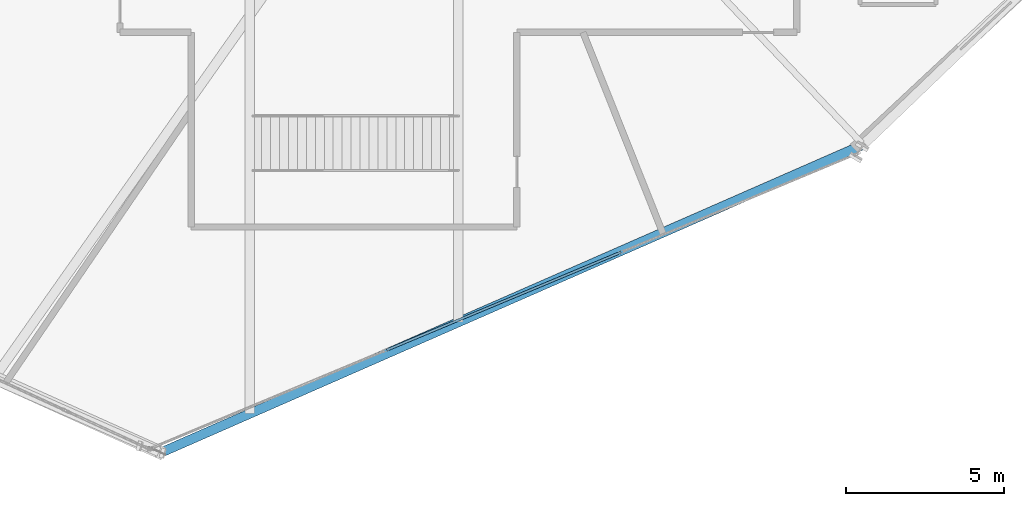
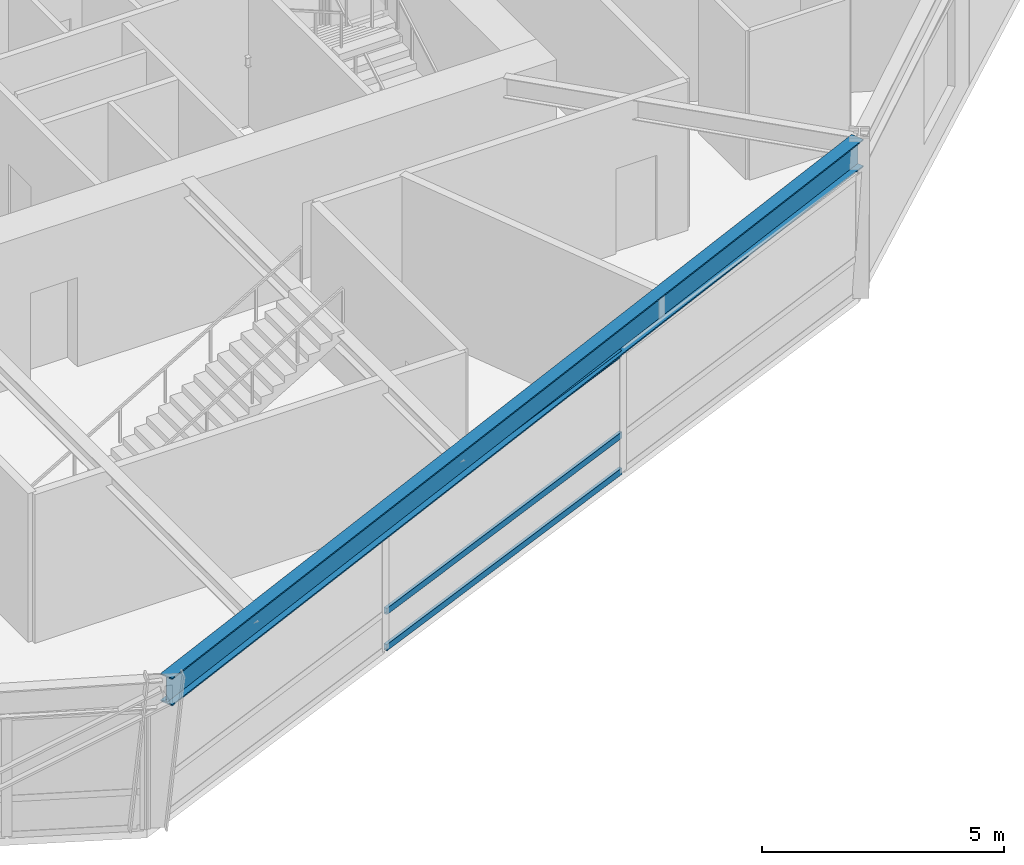
# One storey, part 5 of 19: 3 members, 1 beam, 1 element without a shape of its own.
"""IFC4 building model written with IfcOpenShell, lengths in metres."""

from ifc_helpers import new_model, si_unit, direction, frame, origin, origin_2d, place, context, subcontext, project, spatial, hollow_rectangle, i_section, extrude, source, transform, mapped, material, material_profile, profile_set, type_object, element, aggregate, save


model = new_model("IFC4")

# Units and contexts
model_context = context("Model", 3, precision=1e-05, world=origin(), true_north=direction((0.0, 1.0)))
body_context = subcontext(model_context, "Body", "Model", "MODEL_VIEW")
ifc_project = project(units=[si_unit("LENGTHUNIT", "METRE"), si_unit("AREAUNIT", "SQUARE_METRE"), si_unit("VOLUMEUNIT", "CUBIC_METRE"), si_unit("PLANEANGLEUNIT", "RADIAN"), si_unit("MASSUNIT", "GRAM", prefix="KILO")], contexts=[model_context])

# Site, building, storey
site_placement = place(None, origin())
site = spatial("IfcSite", under=ifc_project, at=site_placement, CompositionType="ELEMENT")
building_placement = place(site_placement, origin())
building = spatial("IfcBuilding", under=site, at=building_placement, Name="Olszyna Solenne Hotel", CompositionType="ELEMENT")
storey_placement = place(building_placement, frame((0.0, 0.0, 71.89990234375)))
storey = spatial("IfcBuildingStorey", under=building, at=storey_placement, Name="L18", CompositionType="ELEMENT", Elevation=71.89990234375)

# Beam
ifc_material_1 = material(Name="Steel S355J2", Category="steel")
ifc_material_profile_1 = material_profile(ifc_material_1, i_section(OverallWidth=0.300048828125, OverallDepth=0.699951171875, WebThickness=0.01708984375, FlangeThickness=0.031982421875, at=origin_2d()), Name="HEB 700", Category="load-bearing")
ifc_profile_set_1 = profile_set([ifc_material_profile_1], Name="Steel S355J2")
beam_type = type_object("IfcBeamType", Name="BM-S1", PredefinedType="BEAM", material=ifc_profile_set_1)
shared_shape_1 = source(origin(), body_context, "Body", "SweptSolid", [
    extrude(i_section(OverallWidth=0.300048828125, OverallDepth=0.699951171875, WebThickness=0.01708984375, FlangeThickness=0.031982421875, at=origin_2d()), origin(), (0.0, 0.0, 1.0), 24.130615234375),
])
beam_placement = place(storey_placement, frame((28.645263671875, 3.437255859375, 3.400146484375), z_axis=(0.915881027618, 0.401449801655, 0.0), x_axis=(-0.401449801655, 0.915881027618, 0.0)))
element("IfcBeam", 1, at=beam_placement, inside=storey, type_object=beam_type, Name="Perimeter spandrel beam BM-S1 B-L18-0559", PredefinedType="BEAM", context=body_context, shape_type="MappedRepresentation", body=[
    mapped(shared_shape_1, transform((0.0, 0.0, 0.0), x_axis=(1.0, 0.0, 0.0), y_axis=(0.0, 1.0, 0.0), z_axis=(0.0, 0.0, 1.0), scale=1.0)),
])

# Curtain wall, members
ifc_material_2 = material(Name="Anodised bronze aluminium", Category="aluminium")
curtain_wall_type = type_object("IfcCurtainWallType", Name="CW-SYS-6", PredefinedType="NOTDEFINED", material=ifc_material_2)
curtain_wall_placement = place(storey_placement, origin())
curtain_wall = element("IfcCurtainWall", 2, at=curtain_wall_placement, inside=storey, type_object=curtain_wall_type, Name="Unitised curtain wall CW-SYS-6 CW-L18-01", PredefinedType="NOTDEFINED")
ifc_material_profile_2 = material_profile(ifc_material_2, hollow_rectangle(XDim=0.074951171875, YDim=0.159912109375, WallThickness=0.00390625, at=origin_2d()), Name="TRAN 160x75x4", Category="load-bearing")
ifc_profile_set_2 = profile_set([ifc_material_profile_2], Name="Anodised bronze aluminium")
member_type = type_object("IfcMemberType", Name="CW-T1", PredefinedType="USERDEFINED", material=ifc_profile_set_2)
shared_shape_2 = source(origin(), body_context, "Body", "SweptSolid", [
    extrude(hollow_rectangle(XDim=0.074951171875, YDim=0.159912109375, WallThickness=0.00390625, at=origin_2d()), origin(), (0.0, 0.0, 1.0), 8.014892578125),
])
member_1_placement = place(storey_placement, frame((35.738525390625, 6.659423828125, 0.03759765625), z_axis=(0.922790079673, 0.385303087007, 0.0), x_axis=(-0.385303087007, 0.922790079673, 0.0)))
member_1 = element("IfcMember", 3, at=member_1_placement, type_object=member_type, Name="Curtain-wall transom CW-T1 CT-L18-01-04", ObjectType="TRANSOM", PredefinedType="USERDEFINED", context=body_context, shape_type="MappedRepresentation", body=[
    mapped(shared_shape_2, transform((0.0, 0.0, 0.0), x_axis=(1.0, 0.0, 0.0), y_axis=(0.0, 1.0, 0.0), z_axis=(0.0, 0.0, 1.0), scale=1.0)),
])
member_2_placement = place(storey_placement, frame((35.738525390625, 6.659423828125, 0.9501953125), z_axis=(0.922790079673, 0.385303087007, 0.0), x_axis=(-0.385303087007, 0.922790079673, 0.0)))
member_2 = element("IfcMember", 4, at=member_2_placement, type_object=member_type, Name="Curtain-wall transom CW-T1 CT-L18-01-05", ObjectType="TRANSOM", PredefinedType="USERDEFINED", context=body_context, shape_type="MappedRepresentation", body=[
    mapped(shared_shape_2, transform((0.0, 0.0, 0.0), x_axis=(1.0, 0.0, 0.0), y_axis=(0.0, 1.0, 0.0), z_axis=(0.0, 0.0, 1.0), scale=1.0)),
])
member_3_placement = place(storey_placement, frame((35.738525390625, 6.659423828125, 3.004638671875), z_axis=(0.922790079673, 0.385303087007, 0.0), x_axis=(-0.385303087007, 0.922790079673, 0.0)))
member_3 = element("IfcMember", 5, at=member_3_placement, type_object=member_type, Name="Curtain-wall transom CW-T1 CT-L18-01-06", ObjectType="TRANSOM", PredefinedType="USERDEFINED", context=body_context, shape_type="MappedRepresentation", body=[
    mapped(shared_shape_2, transform((0.0, 0.0, 0.0), x_axis=(1.0, 0.0, 0.0), y_axis=(0.0, 1.0, 0.0), z_axis=(0.0, 0.0, 1.0), scale=1.0)),
])
aggregate(curtain_wall, [member_1, member_2, member_3])

save(model, "model.ifc")
